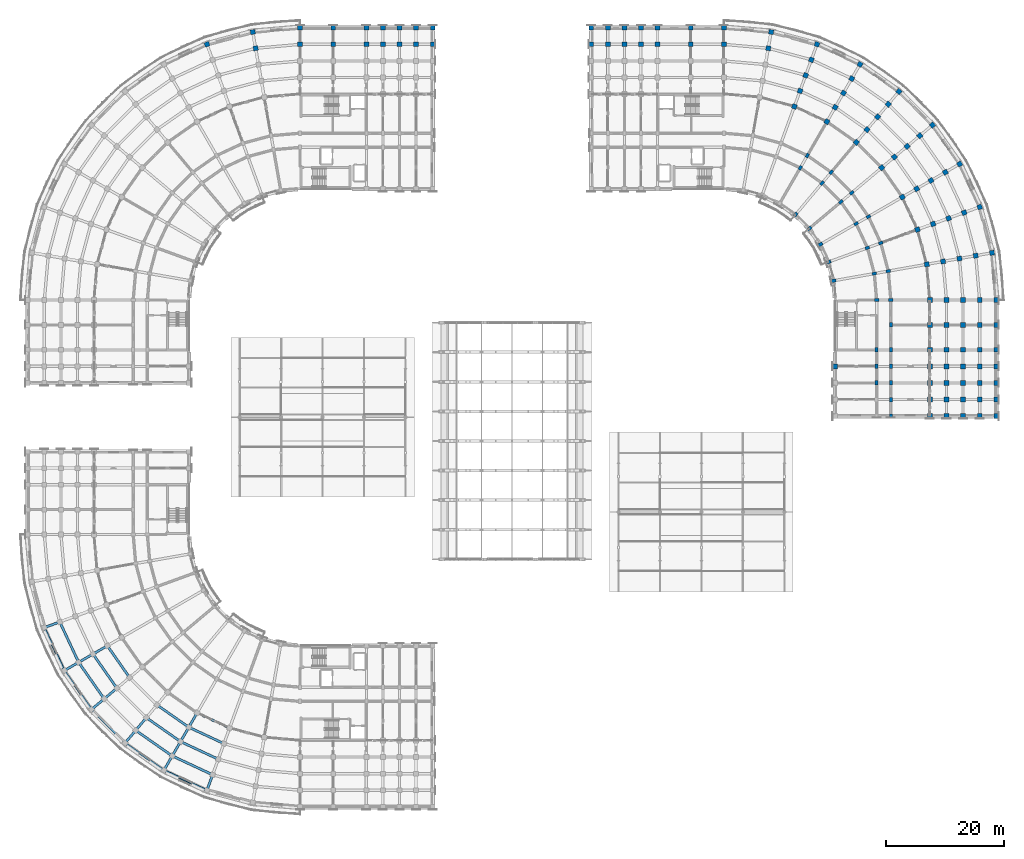
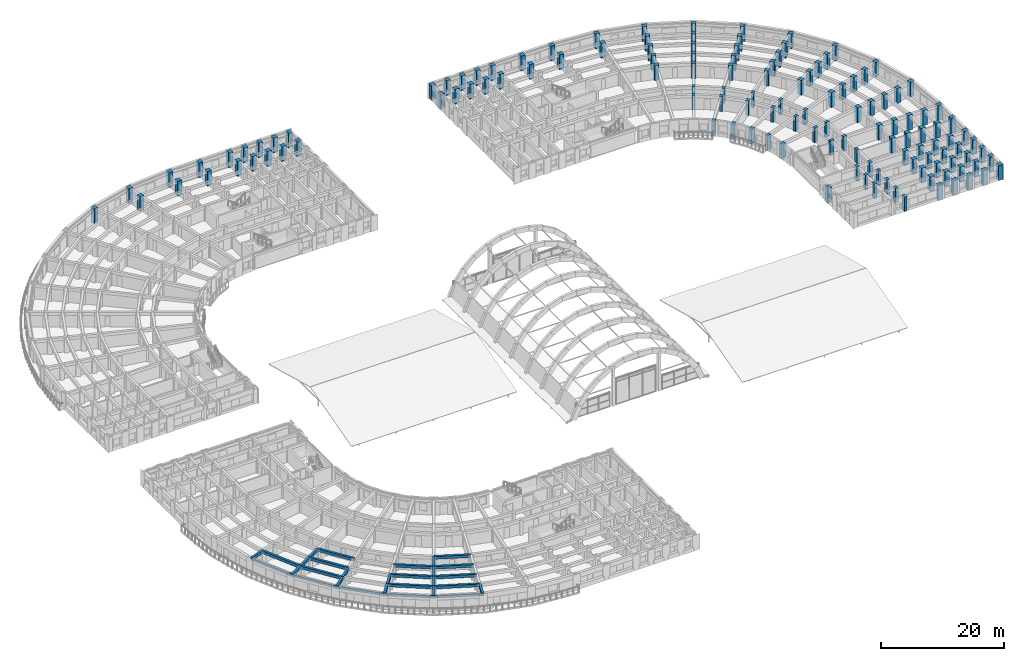
# One storey, part 9 of 76: 132 columns, 29 beams.
"""IFC4 building model written with IfcOpenShell, lengths in metres."""

from ifc_helpers import new_model, si_unit, direction, frame, origin, origin_2d, place, context, subcontext, project, spatial, rectangle, extrude, material, material_profile, profile_set, type_object, element, save


model = new_model("IFC4")

# Units and contexts
model_context = context("Model", 3, precision=1e-05, world=origin(), true_north=direction((0.0, 1.0)))
body_context = subcontext(model_context, "Body", "Model", "MODEL_VIEW")
ifc_project = project(units=[si_unit("LENGTHUNIT", "METRE"), si_unit("AREAUNIT", "SQUARE_METRE"), si_unit("VOLUMEUNIT", "CUBIC_METRE"), si_unit("PLANEANGLEUNIT", "RADIAN"), si_unit("MASSUNIT", "GRAM", prefix="KILO")], contexts=[model_context])

# Site, building, storey
site_placement = place(None, origin())
site = spatial("IfcSite", under=ifc_project, at=site_placement, CompositionType="ELEMENT")
building_placement = place(site_placement, origin())
building = spatial("IfcBuilding", under=site, at=building_placement, Name="Kiranvali Square Residences", CompositionType="ELEMENT")
storey_placement = place(building_placement, frame((0.0, 0.0, 8.699951171875)))
storey = spatial("IfcBuildingStorey", under=building, at=storey_placement, Name="L02", CompositionType="ELEMENT", Elevation=8.699951171875)

# Columns
ifc_material_1 = material(Name="Concrete M45 (45 MPa)", Category="concrete")
ifc_material_profile_1 = material_profile(ifc_material_1, rectangle(XDim=0.5, YDim=0.75, at=origin_2d()), Name="RC 750x500")
ifc_profile_set_1 = profile_set([ifc_material_profile_1], Name="Concrete M45 (45 MPa)")
column_type_1 = type_object("IfcColumnType", Name="COL-M45-750x500", PredefinedType="COLUMN", material=ifc_profile_set_1)
for number, where, z_axis, x_axis, name in (
    (1, (132.699951171875, 110.1435546875, 0.0), (0.0, 0.0, 1.0), (-0.866025403784, 0.5, 0.0), "Block B L02 radial column A03-R1"),
    (2, (133.89990234375, 112.221923828125, 0.0), (0.0, 0.0, 1.0), (-0.866025403784, 0.5, 0.0), "Block B L02 radial column A03-R2"),
    (3, (136.384033203125, 107.56396484375, 0.0), (0.0, 0.0, 1.0), (-0.766044443119, 0.642787609687, 0.0), "Block B L02 radial column A04-R1"),
    (4, (137.926513671875, 109.40234375, 0.0), (0.0, 0.0, 1.0), (-0.766044443119, 0.642787609687, 0.0), "Block B L02 radial column A04-R2"),
    (5, (139.56396484375, 104.384033203125, 0.0), (0.0, 0.0, 1.0), (-0.642787609687, 0.766044443119, 0.0), "Block B L02 radial column A05-R1"),
    (6, (141.40234375, 105.926513671875, 0.0), (0.0, 0.0, 1.0), (-0.642787609687, 0.766044443119, 0.0), "Block B L02 radial column A05-R2"),
    (7, (142.1435546875, 100.699951171875, 0.0), (0.0, 0.0, 1.0), (-0.5, 0.866025403784, 0.0), "Block B L02 radial column A06-R1"),
    (8, (144.221923828125, 101.89990234375, 0.0), (0.0, 0.0, 1.0), (-0.5, 0.866025403784, 0.0), "Block B L02 radial column A06-R2"),
    (9, (144.044189453125, 96.6240234375, 0.0), (0.0, 0.0, 1.0), (-0.342020143326, 0.939692620786, 0.0), "Block B L02 radial column A07-R1"),
    (10, (146.29931640625, 97.445068359375, 0.0), (0.0, 0.0, 1.0), (-0.342020143326, 0.939692620786, 0.0), "Block B L02 radial column A07-R2"),
    (11, (145.2080078125, 92.280029296875, 0.0), (0.0, 0.0, 1.0), (-0.173648177667, 0.984807753012, 0.0), "Block B L02 radial column A08-R1"),
    (12, (147.571533203125, 92.69677734375, 0.0), (0.0, 0.0, 1.0), (-0.173648177667, 0.984807753012, 0.0), "Block B L02 radial column A08-R2"),
    (13, (145.60009765625, 87.800048828125, 0.0), (0.0, 0.0, 1.0), (0.0, 1.0, 0.0), "Block B L02 radial column A09-R1"),
    (14, (148.0, 87.800048828125, 0.0), (0.0, 0.0, 1.0), (0.0, 1.0, 0.0), "Block B L02 radial column A09-R2"),
    (15, (148.0, 83.60009765625, 0.0), (0.0, 0.0, 1.0), (1.0, 0.0, 0.0), "Block B L02 Arm 2 mid-core column V0-R2"),
    (16, (145.60009765625, 79.39990234375, 0.0), (0.0, 0.0, 1.0), (1.0, 0.0, 0.0), "Block B L02 Arm 2 column V1-R1"),
    (17, (148.0, 79.39990234375, 0.0), (0.0, 0.0, 1.0), (1.0, 0.0, 0.0), "Block B L02 Arm 2 column V1-R2"),
    (18, (145.60009765625, 76.60009765625, 0.0), (0.0, 0.0, 1.0), (1.0, 0.0, 0.0), "Block B L02 Arm 2 column V2-R1"),
    (19, (148.0, 76.60009765625, 0.0), (0.0, 0.0, 1.0), (1.0, 0.0, 0.0), "Block B L02 Arm 2 column V2-R2"),
    (20, (145.60009765625, 73.800048828125, 0.0), (0.0, 0.0, 1.0), (1.0, 0.0, 0.0), "Block B L02 Arm 2 column V3-R1"),
    (21, (148.0, 73.800048828125, 0.0), (0.0, 0.0, 1.0), (1.0, 0.0, 0.0), "Block B L02 Arm 2 column V3-R2"),
    (22, (148.0, 71.0, 0.0), (0.0, 0.0, 1.0), (1.0, 0.0, 0.0), "Block B L02 Arm 2 column V4-R2"),
    (23, (148.0, 68.199951171875, 0.0), (0.0, 0.0, 1.0), (1.0, 0.0, 0.0), "Block B L02 Arm 2 column V5-R2"),
):
    element("IfcColumn", number, at=place(storey_placement, frame(where, z_axis=z_axis, x_axis=x_axis)), inside=storey, type_object=column_type_1, Name=name, PredefinedType="COLUMN", context=body_context, shape_type="SweptSolid", body=[
        extrude(rectangle(XDim=0.5, YDim=0.75, at=origin_2d()), origin(), (0.0, 0.0, 1.0), 2.929931640625),
    ])
ifc_material_2 = material(Name="Concrete M50 (50 MPa)", Category="concrete")
ifc_material_profile_2 = material_profile(ifc_material_2, rectangle(XDim=0.800048828125, YDim=0.800048828125, at=origin_2d()), Name="RC 800x800")
ifc_profile_set_2 = profile_set([ifc_material_profile_2], Name="Concrete M50 (50 MPa)")
column_type_2 = type_object("IfcColumnType", Name="COL-M50-800", PredefinedType="COLUMN", material=ifc_profile_set_2)
for number, where, z_axis, x_axis, name in (
    (24, (48.199951171875, 131.0, 0.0), (0.0, 0.0, 1.0), (1.0, 0.0, 0.0), "Block A L02 radial column A00-R6"),
    (25, (48.199951171875, 133.800048828125, 0.0), (0.0, 0.0, 1.0), (1.0, 0.0, 0.0), "Block A L02 radial column A00-R7"),
    (26, (40.698486328125, 130.34375, 0.0), (0.0, 0.0, 1.0), (0.984807753012, 0.173648177667, 0.0), "Block A L02 radial column A01-R6"),
    (27, (40.212158203125, 133.10107421875, 0.0), (0.0, 0.0, 1.0), (0.984807753012, 0.173648177667, 0.0), "Block A L02 radial column A01-R7"),
    (28, (32.467041015625, 131.02587890625, 0.0), (0.0, 0.0, 1.0), (0.939692620786, 0.342020143326, 0.0), "Block A L02 radial column A02-R7"),
    (29, (53.800048828125, 131.0, 0.0), (0.0, 0.0, 1.0), (1.0, 0.0, 0.0), "Block A L02 core-front column U0-R6"),
    (30, (53.800048828125, 133.800048828125, 0.0), (0.0, 0.0, 1.0), (1.0, 0.0, 0.0), "Block A L02 core-front column U0-R7"),
    (31, (59.39990234375, 131.0, 0.0), (0.0, 0.0, 1.0), (1.0, 0.0, 0.0), "Block A L02 Arm 1 column U1-R6"),
    (32, (59.39990234375, 133.800048828125, 0.0), (0.0, 0.0, 1.0), (1.0, 0.0, 0.0), "Block A L02 Arm 1 column U1-R7"),
    (33, (62.199951171875, 131.0, 0.0), (0.0, 0.0, 1.0), (1.0, 0.0, 0.0), "Block A L02 Arm 1 column U2-R6"),
    (34, (62.199951171875, 133.800048828125, 0.0), (0.0, 0.0, 1.0), (1.0, 0.0, 0.0), "Block A L02 Arm 1 column U2-R7"),
    (35, (65.0, 131.0, 0.0), (0.0, 0.0, 1.0), (1.0, 0.0, 0.0), "Block A L02 Arm 1 column U3-R6"),
    (36, (65.0, 133.800048828125, 0.0), (0.0, 0.0, 1.0), (1.0, 0.0, 0.0), "Block A L02 Arm 1 column U3-R7"),
    (37, (67.800048828125, 131.0, 0.0), (0.0, 0.0, 1.0), (1.0, 0.0, 0.0), "Block A L02 Arm 1 column U4-R6"),
    (38, (67.800048828125, 133.800048828125, 0.0), (0.0, 0.0, 1.0), (1.0, 0.0, 0.0), "Block A L02 Arm 1 column U4-R7"),
    (39, (70.60009765625, 131.0, 0.0), (0.0, 0.0, 1.0), (1.0, 0.0, 0.0), "Block A L02 Arm 1 column U5-R6"),
    (40, (70.60009765625, 133.800048828125, 0.0), (0.0, 0.0, 1.0), (1.0, 0.0, 0.0), "Block A L02 Arm 1 column U5-R7"),
    (41, (119.800048828125, 131.0, 0.0), (0.0, 0.0, 1.0), (1.0, 0.0, 0.0), "Block B L02 radial column A00-R6"),
    (42, (119.800048828125, 133.800048828125, 0.0), (0.0, 0.0, 1.0), (1.0, 0.0, 0.0), "Block B L02 radial column A00-R7"),
    (43, (127.301513671875, 130.34375, 0.0), (0.0, 0.0, 1.0), (-0.984807753012, 0.173648177667, 0.0), "Block B L02 radial column A01-R6"),
    (44, (127.787841796875, 133.10107421875, 0.0), (0.0, 0.0, 1.0), (-0.984807753012, 0.173648177667, 0.0), "Block B L02 radial column A01-R7"),
    (45, (131.702392578125, 120.501220703125, 0.0), (0.0, 0.0, 1.0), (-0.939692620786, 0.342020143326, 0.0), "Block B L02 radial column A02-R3"),
    (46, (132.659912109375, 123.13232421875, 0.0), (0.0, 0.0, 1.0), (-0.939692620786, 0.342020143326, 0.0), "Block B L02 radial column A02-R4"),
    (47, (133.61767578125, 125.763671875, 0.0), (0.0, 0.0, 1.0), (-0.939692620786, 0.342020143326, 0.0), "Block B L02 radial column A02-R5"),
    (48, (134.5751953125, 128.394775390625, 0.0), (0.0, 0.0, 1.0), (-0.939692620786, 0.342020143326, 0.0), "Block B L02 radial column A02-R6"),
    (49, (135.532958984375, 131.02587890625, 0.0), (0.0, 0.0, 1.0), (-0.939692620786, 0.342020143326, 0.0), "Block B L02 radial column A02-R7"),
    (50, (137.199951171875, 117.937744140625, 0.0), (0.0, 0.0, 1.0), (-0.866025403784, 0.5, 0.0), "Block B L02 radial column A03-R3"),
    (51, (138.60009765625, 120.362548828125, 0.0), (0.0, 0.0, 1.0), (-0.866025403784, 0.5, 0.0), "Block B L02 radial column A03-R4"),
    (52, (140.0, 122.787353515625, 0.0), (0.0, 0.0, 1.0), (-0.866025403784, 0.5, 0.0), "Block B L02 radial column A03-R5"),
    (53, (141.39990234375, 125.21240234375, 0.0), (0.0, 0.0, 1.0), (-0.866025403784, 0.5, 0.0), "Block B L02 radial column A03-R6"),
    (54, (142.800048828125, 127.63720703125, 0.0), (0.0, 0.0, 1.0), (-0.866025403784, 0.5, 0.0), "Block B L02 radial column A03-R7"),
    (55, (142.1689453125, 114.458251953125, 0.0), (0.0, 0.0, 1.0), (-0.766044443119, 0.642787609687, 0.0), "Block B L02 radial column A04-R3"),
    (56, (143.96875, 116.603271484375, 0.0), (0.0, 0.0, 1.0), (-0.766044443119, 0.642787609687, 0.0), "Block B L02 radial column A04-R4"),
    (57, (145.7685546875, 118.748291015625, 0.0), (0.0, 0.0, 1.0), (-0.766044443119, 0.642787609687, 0.0), "Block B L02 radial column A04-R5"),
    (58, (147.568359375, 120.89306640625, 0.0), (0.0, 0.0, 1.0), (-0.766044443119, 0.642787609687, 0.0), "Block B L02 radial column A04-R6"),
    (59, (149.3681640625, 123.0380859375, 0.0), (0.0, 0.0, 1.0), (-0.766044443119, 0.642787609687, 0.0), "Block B L02 radial column A04-R7"),
    (60, (146.458251953125, 110.1689453125, 0.0), (0.0, 0.0, 1.0), (-0.642787609687, 0.766044443119, 0.0), "Block B L02 radial column A05-R3"),
    (61, (148.603271484375, 111.96875, 0.0), (0.0, 0.0, 1.0), (-0.642787609687, 0.766044443119, 0.0), "Block B L02 radial column A05-R4"),
    (62, (150.748291015625, 113.7685546875, 0.0), (0.0, 0.0, 1.0), (-0.642787609687, 0.766044443119, 0.0), "Block B L02 radial column A05-R5"),
    (63, (152.89306640625, 115.568359375, 0.0), (0.0, 0.0, 1.0), (-0.642787609687, 0.766044443119, 0.0), "Block B L02 radial column A05-R6"),
    (64, (155.0380859375, 117.3681640625, 0.0), (0.0, 0.0, 1.0), (-0.642787609687, 0.766044443119, 0.0), "Block B L02 radial column A05-R7"),
    (65, (149.937744140625, 105.199951171875, 0.0), (0.0, 0.0, 1.0), (-0.5, 0.866025403784, 0.0), "Block B L02 radial column A06-R3"),
    (66, (152.362548828125, 106.60009765625, 0.0), (0.0, 0.0, 1.0), (-0.5, 0.866025403784, 0.0), "Block B L02 radial column A06-R4"),
    (67, (154.787353515625, 108.0, 0.0), (0.0, 0.0, 1.0), (-0.5, 0.866025403784, 0.0), "Block B L02 radial column A06-R5"),
    (68, (157.21240234375, 109.39990234375, 0.0), (0.0, 0.0, 1.0), (-0.5, 0.866025403784, 0.0), "Block B L02 radial column A06-R6"),
    (69, (159.63720703125, 110.800048828125, 0.0), (0.0, 0.0, 1.0), (-0.5, 0.866025403784, 0.0), "Block B L02 radial column A06-R7"),
    (70, (152.501220703125, 99.702392578125, 0.0), (0.0, 0.0, 1.0), (-0.342020143326, 0.939692620786, 0.0), "Block B L02 radial column A07-R3"),
    (71, (155.13232421875, 100.659912109375, 0.0), (0.0, 0.0, 1.0), (-0.342020143326, 0.939692620786, 0.0), "Block B L02 radial column A07-R4"),
    (72, (157.763671875, 101.61767578125, 0.0), (0.0, 0.0, 1.0), (-0.342020143326, 0.939692620786, 0.0), "Block B L02 radial column A07-R5"),
    (73, (160.394775390625, 102.5751953125, 0.0), (0.0, 0.0, 1.0), (-0.342020143326, 0.939692620786, 0.0), "Block B L02 radial column A07-R6"),
    (74, (163.02587890625, 103.532958984375, 0.0), (0.0, 0.0, 1.0), (-0.342020143326, 0.939692620786, 0.0), "Block B L02 radial column A07-R7"),
    (75, (154.0712890625, 93.843017578125, 0.0), (0.0, 0.0, 1.0), (-0.173648177667, 0.984807753012, 0.0), "Block B L02 radial column A08-R3"),
    (76, (156.828857421875, 94.3291015625, 0.0), (0.0, 0.0, 1.0), (-0.173648177667, 0.984807753012, 0.0), "Block B L02 radial column A08-R4"),
    (77, (159.586181640625, 94.8154296875, 0.0), (0.0, 0.0, 1.0), (-0.173648177667, 0.984807753012, 0.0), "Block B L02 radial column A08-R5"),
    (78, (162.34375, 95.301513671875, 0.0), (0.0, 0.0, 1.0), (-0.173648177667, 0.984807753012, 0.0), "Block B L02 radial column A08-R6"),
    (79, (165.10107421875, 95.787841796875, 0.0), (0.0, 0.0, 1.0), (-0.173648177667, 0.984807753012, 0.0), "Block B L02 radial column A08-R7"),
    (80, (154.60009765625, 87.800048828125, 0.0), (0.0, 0.0, 1.0), (0.0, 1.0, 0.0), "Block B L02 radial column A09-R3"),
    (81, (157.39990234375, 87.800048828125, 0.0), (0.0, 0.0, 1.0), (0.0, 1.0, 0.0), "Block B L02 radial column A09-R4"),
    (82, (160.199951171875, 87.800048828125, 0.0), (0.0, 0.0, 1.0), (0.0, 1.0, 0.0), "Block B L02 radial column A09-R5"),
    (83, (163.0, 87.800048828125, 0.0), (0.0, 0.0, 1.0), (0.0, 1.0, 0.0), "Block B L02 radial column A09-R6"),
    (84, (165.800048828125, 87.800048828125, 0.0), (0.0, 0.0, 1.0), (0.0, 1.0, 0.0), "Block B L02 radial column A09-R7"),
    (85, (114.199951171875, 131.0, 0.0), (0.0, 0.0, 1.0), (1.0, 0.0, 0.0), "Block B L02 core-front column U0-R6"),
    (86, (114.199951171875, 133.800048828125, 0.0), (0.0, 0.0, 1.0), (1.0, 0.0, 0.0), "Block B L02 core-front column U0-R7"),
    (87, (108.60009765625, 131.0, 0.0), (0.0, 0.0, 1.0), (1.0, 0.0, 0.0), "Block B L02 Arm 1 column U1-R6"),
    (88, (108.60009765625, 133.800048828125, 0.0), (0.0, 0.0, 1.0), (1.0, 0.0, 0.0), "Block B L02 Arm 1 column U1-R7"),
    (89, (105.800048828125, 131.0, 0.0), (0.0, 0.0, 1.0), (1.0, 0.0, 0.0), "Block B L02 Arm 1 column U2-R6"),
    (90, (105.800048828125, 133.800048828125, 0.0), (0.0, 0.0, 1.0), (1.0, 0.0, 0.0), "Block B L02 Arm 1 column U2-R7"),
    (91, (103.0, 131.0, 0.0), (0.0, 0.0, 1.0), (1.0, 0.0, 0.0), "Block B L02 Arm 1 column U3-R6"),
    (92, (103.0, 133.800048828125, 0.0), (0.0, 0.0, 1.0), (1.0, 0.0, 0.0), "Block B L02 Arm 1 column U3-R7"),
    (93, (100.199951171875, 131.0, 0.0), (0.0, 0.0, 1.0), (1.0, 0.0, 0.0), "Block B L02 Arm 1 column U4-R6"),
    (94, (100.199951171875, 133.800048828125, 0.0), (0.0, 0.0, 1.0), (1.0, 0.0, 0.0), "Block B L02 Arm 1 column U4-R7"),
    (95, (97.39990234375, 131.0, 0.0), (0.0, 0.0, 1.0), (1.0, 0.0, 0.0), "Block B L02 Arm 1 column U5-R6"),
    (96, (97.39990234375, 133.800048828125, 0.0), (0.0, 0.0, 1.0), (1.0, 0.0, 0.0), "Block B L02 Arm 1 column U5-R7"),
    (97, (154.60009765625, 83.60009765625, 0.0), (0.0, 0.0, 1.0), (1.0, 0.0, 0.0), "Block B L02 Arm 2 mid-core column V0-R3"),
    (98, (157.39990234375, 83.60009765625, 0.0), (0.0, 0.0, 1.0), (1.0, 0.0, 0.0), "Block B L02 Arm 2 mid-core column V0-R4"),
    (99, (160.199951171875, 83.60009765625, 0.0), (0.0, 0.0, 1.0), (1.0, 0.0, 0.0), "Block B L02 Arm 2 mid-core column V0-R5"),
    (100, (163.0, 83.60009765625, 0.0), (0.0, 0.0, 1.0), (1.0, 0.0, 0.0), "Block B L02 Arm 2 mid-core column V0-R6"),
    (101, (165.800048828125, 83.60009765625, 0.0), (0.0, 0.0, 1.0), (1.0, 0.0, 0.0), "Block B L02 Arm 2 mid-core column V0-R7"),
    (102, (154.60009765625, 79.39990234375, 0.0), (0.0, 0.0, 1.0), (1.0, 0.0, 0.0), "Block B L02 Arm 2 column V1-R3"),
    (103, (157.39990234375, 79.39990234375, 0.0), (0.0, 0.0, 1.0), (1.0, 0.0, 0.0), "Block B L02 Arm 2 column V1-R4"),
    (104, (160.199951171875, 79.39990234375, 0.0), (0.0, 0.0, 1.0), (1.0, 0.0, 0.0), "Block B L02 Arm 2 column V1-R5"),
    (105, (163.0, 79.39990234375, 0.0), (0.0, 0.0, 1.0), (1.0, 0.0, 0.0), "Block B L02 Arm 2 column V1-R6"),
    (106, (165.800048828125, 79.39990234375, 0.0), (0.0, 0.0, 1.0), (1.0, 0.0, 0.0), "Block B L02 Arm 2 column V1-R7"),
    (107, (138.60009765625, 76.60009765625, 0.0), (0.0, 0.0, 1.0), (1.0, 0.0, 0.0), "Block B L02 Arm 2 column V2-R0"),
    (108, (154.60009765625, 76.60009765625, 0.0), (0.0, 0.0, 1.0), (1.0, 0.0, 0.0), "Block B L02 Arm 2 column V2-R3"),
    (109, (157.39990234375, 76.60009765625, 0.0), (0.0, 0.0, 1.0), (1.0, 0.0, 0.0), "Block B L02 Arm 2 column V2-R4"),
    (110, (160.199951171875, 76.60009765625, 0.0), (0.0, 0.0, 1.0), (1.0, 0.0, 0.0), "Block B L02 Arm 2 column V2-R5"),
    (111, (163.0, 76.60009765625, 0.0), (0.0, 0.0, 1.0), (1.0, 0.0, 0.0), "Block B L02 Arm 2 column V2-R6"),
    (112, (165.800048828125, 76.60009765625, 0.0), (0.0, 0.0, 1.0), (1.0, 0.0, 0.0), "Block B L02 Arm 2 column V2-R7"),
    (113, (154.60009765625, 73.800048828125, 0.0), (0.0, 0.0, 1.0), (1.0, 0.0, 0.0), "Block B L02 Arm 2 column V3-R3"),
    (114, (157.39990234375, 73.800048828125, 0.0), (0.0, 0.0, 1.0), (1.0, 0.0, 0.0), "Block B L02 Arm 2 column V3-R4"),
    (115, (160.199951171875, 73.800048828125, 0.0), (0.0, 0.0, 1.0), (1.0, 0.0, 0.0), "Block B L02 Arm 2 column V3-R5"),
    (116, (163.0, 73.800048828125, 0.0), (0.0, 0.0, 1.0), (1.0, 0.0, 0.0), "Block B L02 Arm 2 column V3-R6"),
    (117, (165.800048828125, 73.800048828125, 0.0), (0.0, 0.0, 1.0), (1.0, 0.0, 0.0), "Block B L02 Arm 2 column V3-R7"),
    (118, (154.60009765625, 71.0, 0.0), (0.0, 0.0, 1.0), (1.0, 0.0, 0.0), "Block B L02 Arm 2 column V4-R3"),
    (119, (157.39990234375, 71.0, 0.0), (0.0, 0.0, 1.0), (1.0, 0.0, 0.0), "Block B L02 Arm 2 column V4-R4"),
    (120, (160.199951171875, 71.0, 0.0), (0.0, 0.0, 1.0), (1.0, 0.0, 0.0), "Block B L02 Arm 2 column V4-R5"),
    (121, (163.0, 71.0, 0.0), (0.0, 0.0, 1.0), (1.0, 0.0, 0.0), "Block B L02 Arm 2 column V4-R6"),
    (122, (165.800048828125, 71.0, 0.0), (0.0, 0.0, 1.0), (1.0, 0.0, 0.0), "Block B L02 Arm 2 column V4-R7"),
    (123, (154.60009765625, 68.199951171875, 0.0), (0.0, 0.0, 1.0), (1.0, 0.0, 0.0), "Block B L02 Arm 2 column V5-R3"),
    (124, (157.39990234375, 68.199951171875, 0.0), (0.0, 0.0, 1.0), (1.0, 0.0, 0.0), "Block B L02 Arm 2 column V5-R4"),
    (125, (160.199951171875, 68.199951171875, 0.0), (0.0, 0.0, 1.0), (1.0, 0.0, 0.0), "Block B L02 Arm 2 column V5-R5"),
    (126, (163.0, 68.199951171875, 0.0), (0.0, 0.0, 1.0), (1.0, 0.0, 0.0), "Block B L02 Arm 2 column V5-R6"),
    (127, (165.800048828125, 68.199951171875, 0.0), (0.0, 0.0, 1.0), (1.0, 0.0, 0.0), "Block B L02 Arm 2 column V5-R7"),
):
    element("IfcColumn", number, at=place(storey_placement, frame(where, z_axis=z_axis, x_axis=x_axis)), inside=storey, type_object=column_type_2, Name=name, PredefinedType="COLUMN", context=body_context, shape_type="SweptSolid", body=[
        extrude(rectangle(XDim=0.800048828125, YDim=0.800048828125, at=origin_2d()), origin(), (0.0, 0.0, 1.0), 2.929931640625),
    ])
ifc_material_profile_3 = material_profile(ifc_material_2, rectangle(XDim=0.550048828125, YDim=0.85009765625, at=origin_2d()), Name="RC 850x550")
ifc_profile_set_3 = profile_set([ifc_material_profile_3], Name="Concrete M50 (50 MPa)")
column_type_3 = type_object("IfcColumnType", Name="COL-M50-850x550", PredefinedType="COLUMN", material=ifc_profile_set_3)
for number, where, z_axis, x_axis, name in (
    (128, (131.884521484375, 102.20166015625, 0.0), (0.0, 0.0, 1.0), (-0.766044443119, 0.642787609687, 0.0), "Block B L02 radial column A04-R0"),
    (129, (134.20166015625, 99.884521484375, 0.0), (0.0, 0.0, 1.0), (-0.642787609687, 0.766044443119, 0.0), "Block B L02 radial column A05-R0"),
    (130, (136.081298828125, 97.199951171875, 0.0), (0.0, 0.0, 1.0), (-0.5, 0.866025403784, 0.0), "Block B L02 radial column A06-R0"),
    (131, (137.46630859375, 94.22998046875, 0.0), (0.0, 0.0, 1.0), (-0.342020143326, 0.939692620786, 0.0), "Block B L02 radial column A07-R0"),
    (132, (138.314453125, 91.064697265625, 0.0), (0.0, 0.0, 1.0), (-0.173648177667, 0.984807753012, 0.0), "Block B L02 radial column A08-R0"),
):
    element("IfcColumn", number, at=place(storey_placement, frame(where, z_axis=z_axis, x_axis=x_axis)), inside=storey, type_object=column_type_3, Name=name, PredefinedType="COLUMN", context=body_context, shape_type="SweptSolid", body=[
        extrude(rectangle(XDim=0.550048828125, YDim=0.85009765625, at=origin_2d()), origin(), (0.0, 0.0, 1.0), 2.929931640625),
    ])

# Beams
ifc_material_profile_4 = material_profile(ifc_material_1, rectangle(XDim=0.39990234375, YDim=0.550048828125, at=origin_2d()), Name="RC 400x550")
ifc_profile_set_4 = profile_set([ifc_material_profile_4], Name="Concrete M45 (45 MPa)")
beam_type_1 = type_object("IfcBeamType", Name="BM-M45-400x550", PredefinedType="BEAM", material=ifc_profile_set_4)
beam_1_placement = place(storey_placement, frame((36.297607421875, 15.498779296875, 2.655029296875), z_axis=(-0.906312656069, 0.42260781991, 0.0), x_axis=(-0.42260781991, -0.906312656069, 0.0)))
element("IfcBeam", 133, at=beam_1_placement, inside=storey, type_object=beam_type_1, Name="L02 beam BM-C-L02-C02-R3", PredefinedType="BEAM", context=body_context, shape_type="SweptSolid", body=[
    extrude(rectangle(XDim=0.39990234375, YDim=0.550048828125, at=origin_2d()), origin(), (0.0, 0.0, 1.0), 6.06591796875),
])
beam_2_placement = place(storey_placement, frame((35.340087890625, 12.86767578125, 2.655029296875), z_axis=(-0.906318225223, 0.422595876255, 0.0), x_axis=(-0.422595876255, -0.906318225223, 0.0)))
element("IfcBeam", 134, at=beam_2_placement, inside=storey, type_object=beam_type_1, Name="L02 beam BM-C-L02-C02-R4", PredefinedType="BEAM", context=body_context, shape_type="SweptSolid", body=[
    extrude(rectangle(XDim=0.39990234375, YDim=0.550048828125, at=origin_2d()), origin(), (0.0, 0.0, 1.0), 6.55419921875),
])
beam_3_placement = place(storey_placement, frame((34.38232421875, 10.236328125, 2.655029296875), z_axis=(-0.906297360311, 0.422640621205, 0.0), x_axis=(-0.422640621205, -0.906297360311, 0.0)))
element("IfcBeam", 135, at=beam_3_placement, inside=storey, type_object=beam_type_1, Name="L02 beam BM-C-L02-C02-R5", PredefinedType="BEAM", context=body_context, shape_type="SweptSolid", body=[
    extrude(rectangle(XDim=0.39990234375, YDim=0.550048828125, at=origin_2d()), origin(), (0.0, 0.0, 1.0), 7.042236328125),
])
beam_4_placement = place(storey_placement, frame((33.4248046875, 7.605224609375, 2.655029296875), z_axis=(-0.90630982703, 0.422613886933, 0.0), x_axis=(-0.422613886933, -0.90630982703, 0.0)))
element("IfcBeam", 136, at=beam_4_placement, inside=storey, type_object=beam_type_1, Name="L02 beam BM-C-L02-C02-R6", PredefinedType="BEAM", context=body_context, shape_type="SweptSolid", body=[
    extrude(rectangle(XDim=0.39990234375, YDim=0.550048828125, at=origin_2d()), origin(), (0.0, 0.0, 1.0), 7.5302734375),
])
beam_5_placement = place(storey_placement, frame((29.39990234375, 15.637451171875, 2.655029296875), z_axis=(-0.819144409176, 0.573587340268, 0.0), x_axis=(-0.573587340268, -0.819144409176, 0.0)))
element("IfcBeam", 137, at=beam_5_placement, inside=storey, type_object=beam_type_1, Name="L02 beam BM-C-L02-C03-R4", PredefinedType="BEAM", context=body_context, shape_type="SweptSolid", body=[
    extrude(rectangle(XDim=0.39990234375, YDim=0.550048828125, at=origin_2d()), origin(), (0.0, 0.0, 1.0), 6.553955078125),
])
beam_6_placement = place(storey_placement, frame((28.0, 13.212646484375, 2.655029296875), z_axis=(-0.819160249246, 0.57356471828, 0.0), x_axis=(-0.57356471828, -0.819160249246, 0.0)))
element("IfcBeam", 138, at=beam_6_placement, inside=storey, type_object=beam_type_1, Name="L02 beam BM-C-L02-C03-R5", PredefinedType="BEAM", context=body_context, shape_type="SweptSolid", body=[
    extrude(rectangle(XDim=0.39990234375, YDim=0.550048828125, at=origin_2d()), origin(), (0.0, 0.0, 1.0), 7.0419921875),
])
beam_7_placement = place(storey_placement, frame((26.60009765625, 10.78759765625, 2.655029296875), z_axis=(-0.819143569597, 0.573588539275, 0.0), x_axis=(-0.573588539275, -0.819143569597, 0.0)))
element("IfcBeam", 139, at=beam_7_placement, inside=storey, type_object=beam_type_1, Name="L02 beam BM-C-L02-C03-R6", PredefinedType="BEAM", context=body_context, shape_type="SweptSolid", body=[
    extrude(rectangle(XDim=0.39990234375, YDim=0.550048828125, at=origin_2d()), origin(), (0.0, 0.0, 1.0), 7.5302734375),
])
beam_8_placement = place(storey_placement, frame((19.396728515625, 24.03125, 2.655029296875), z_axis=(-0.573587340268, 0.819144409176, 0.0), x_axis=(-0.819144409176, -0.573587340268, 0.0)))
element("IfcBeam", 140, at=beam_8_placement, inside=storey, type_object=beam_type_1, Name="L02 beam BM-C-L02-C05-R4", PredefinedType="BEAM", context=body_context, shape_type="SweptSolid", body=[
    extrude(rectangle(XDim=0.39990234375, YDim=0.550048828125, at=origin_2d()), origin(), (0.0, 0.0, 1.0), 6.553955078125),
])
beam_9_placement = place(storey_placement, frame((17.251708984375, 22.2314453125, 2.655029296875), z_axis=(-0.57356471828, 0.819160249246, 0.0), x_axis=(-0.819160249246, -0.57356471828, 0.0)))
element("IfcBeam", 141, at=beam_9_placement, inside=storey, type_object=beam_type_1, Name="L02 beam BM-C-L02-C05-R5", PredefinedType="BEAM", context=body_context, shape_type="SweptSolid", body=[
    extrude(rectangle(XDim=0.39990234375, YDim=0.550048828125, at=origin_2d()), origin(), (0.0, 0.0, 1.0), 7.0419921875),
])
for number, where, z_axis, x_axis, name in (
    (142, (15.10693359375, 20.431640625, 2.655029296875), (-0.573588539275, 0.819143569597, 0.0), (-0.819143569597, -0.573588539275, 0.0), "L02 beam BM-C-L02-C05-R6"),
    (143, (10.78759765625, 26.60009765625, 2.655029296875), (-0.422613886933, 0.90630982703, 0.0), (-0.90630982703, -0.422613886933, 0.0), "L02 beam BM-C-L02-C06-R6"),
):
    element("IfcBeam", number, at=place(storey_placement, frame(where, z_axis=z_axis, x_axis=x_axis)), inside=storey, type_object=beam_type_1, Name=name, PredefinedType="BEAM", context=body_context, shape_type="SweptSolid", body=[
        extrude(rectangle(XDim=0.39990234375, YDim=0.550048828125, at=origin_2d()), origin(), (0.0, 0.0, 1.0), 7.5302734375),
    ])
for number, where, z_axis, x_axis, name in (
    (144, (33.4248046875, 7.605224609375, 2.655029296875), (-0.342058084236, -0.939678810556, 0.0), (0.939678810556, -0.342058084236, 0.0), "L02 beam BM-C-L02-RAD02-67"),
    (145, (30.800048828125, 18.062255859375, 2.655029296875), (-0.500049511043, -0.865996816683, 0.0), (0.865996816683, -0.500049511043, 0.0), "L02 beam BM-C-L02-RAD03-34"),
):
    element("IfcBeam", number, at=place(storey_placement, frame(where, z_axis=z_axis, x_axis=x_axis)), inside=storey, type_object=beam_type_1, Name=name, PredefinedType="BEAM", context=body_context, shape_type="SweptSolid", body=[
        extrude(rectangle(XDim=0.39990234375, YDim=0.550048828125, at=origin_2d()), origin(), (0.0, 0.0, 1.0), 2.800048828125),
    ])
beam_10_placement = place(storey_placement, frame((29.39990234375, 15.637451171875, 2.655029296875), z_axis=(-0.49998411664, -0.866034573852, 0.0), x_axis=(0.866034573852, -0.49998411664, 0.0)))
element("IfcBeam", 146, at=beam_10_placement, inside=storey, type_object=beam_type_1, Name="L02 beam BM-C-L02-RAD03-45", PredefinedType="BEAM", context=body_context, shape_type="SweptSolid", body=[
    extrude(rectangle(XDim=0.39990234375, YDim=0.550048828125, at=origin_2d()), origin(), (0.0, 0.0, 1.0), 2.7998046875),
])
for number, where, z_axis, x_axis, name in (
    (147, (28.0, 13.212646484375, 2.655029296875), (-0.49994636267, -0.866056369097, 0.0), (0.866056369097, -0.49994636267, 0.0), "L02 beam BM-C-L02-RAD03-56"),
    (148, (26.60009765625, 10.78759765625, 2.655029296875), (-0.500049511043, -0.865996816683, 0.0), (0.865996816683, -0.500049511043, 0.0), "L02 beam BM-C-L02-RAD03-67"),
):
    element("IfcBeam", number, at=place(storey_placement, frame(where, z_axis=z_axis, x_axis=x_axis)), inside=storey, type_object=beam_type_1, Name=name, PredefinedType="BEAM", context=body_context, shape_type="SweptSolid", body=[
        extrude(rectangle(XDim=0.39990234375, YDim=0.550048828125, at=origin_2d()), origin(), (0.0, 0.0, 1.0), 2.800048828125),
    ])
beam_11_placement = place(storey_placement, frame((22.2314453125, 17.251708984375, 2.655029296875), z_axis=(-0.642813692253, -0.76602255649, 0.0), x_axis=(0.76602255649, -0.642813692253, 0.0)))
element("IfcBeam", 149, at=beam_11_placement, inside=storey, type_object=beam_type_1, Name="L02 beam BM-C-L02-RAD04-56", PredefinedType="BEAM", context=body_context, shape_type="SweptSolid", body=[
    extrude(rectangle(XDim=0.39990234375, YDim=0.550048828125, at=origin_2d()), origin(), (0.0, 0.0, 1.0), 2.7998046875),
])
beam_12_placement = place(storey_placement, frame((20.431640625, 15.10693359375, 2.655029296875), z_axis=(-0.642770757628, -0.766058583359, 0.0), x_axis=(0.766058583359, -0.642770757628, 0.0)))
element("IfcBeam", 150, at=beam_12_placement, inside=storey, type_object=beam_type_1, Name="L02 beam BM-C-L02-RAD04-67", PredefinedType="BEAM", context=body_context, shape_type="SweptSolid", body=[
    extrude(rectangle(XDim=0.39990234375, YDim=0.550048828125, at=origin_2d()), origin(), (0.0, 0.0, 1.0), 2.800048828125),
])
beam_13_placement = place(storey_placement, frame((17.251708984375, 22.2314453125, 2.655029296875), z_axis=(-0.76602255649, -0.642813692253, 0.0), x_axis=(0.642813692253, -0.76602255649, 0.0)))
element("IfcBeam", 151, at=beam_13_placement, inside=storey, type_object=beam_type_1, Name="L02 beam BM-C-L02-RAD05-56", PredefinedType="BEAM", context=body_context, shape_type="SweptSolid", body=[
    extrude(rectangle(XDim=0.39990234375, YDim=0.550048828125, at=origin_2d()), origin(), (0.0, 0.0, 1.0), 2.7998046875),
])
beam_14_placement = place(storey_placement, frame((15.10693359375, 20.431640625, 2.655029296875), z_axis=(-0.766058583359, -0.642770757628, 0.0), x_axis=(0.642770757628, -0.766058583359, 0.0)))
element("IfcBeam", 152, at=beam_14_placement, inside=storey, type_object=beam_type_1, Name="L02 beam BM-C-L02-RAD05-67", PredefinedType="BEAM", context=body_context, shape_type="SweptSolid", body=[
    extrude(rectangle(XDim=0.39990234375, YDim=0.550048828125, at=origin_2d()), origin(), (0.0, 0.0, 1.0), 2.800048828125),
])
beam_15_placement = place(storey_placement, frame((15.637451171875, 29.39990234375, 2.655029296875), z_axis=(-0.866034573852, -0.49998411664, 0.0), x_axis=(0.49998411664, -0.866034573852, 0.0)))
element("IfcBeam", 153, at=beam_15_placement, inside=storey, type_object=beam_type_1, Name="L02 beam BM-C-L02-RAD06-45", PredefinedType="BEAM", context=body_context, shape_type="SweptSolid", body=[
    extrude(rectangle(XDim=0.39990234375, YDim=0.550048828125, at=origin_2d()), origin(), (0.0, 0.0, 1.0), 2.7998046875),
])
for number, where, z_axis, x_axis, name in (
    (154, (13.212646484375, 28.0, 2.655029296875), (-0.866056369097, -0.49994636267, 0.0), (0.49994636267, -0.866056369097, 0.0), "L02 beam BM-C-L02-RAD06-56"),
    (155, (10.78759765625, 26.60009765625, 2.655029296875), (-0.865996816683, -0.500049511043, 0.0), (0.500049511043, -0.865996816683, 0.0), "L02 beam BM-C-L02-RAD06-67"),
    (156, (7.605224609375, 33.4248046875, 2.655029296875), (-0.939678810556, -0.342058084236, 0.0), (0.342058084236, -0.939678810556, 0.0), "L02 beam BM-C-L02-RAD07-67"),
):
    element("IfcBeam", number, at=place(storey_placement, frame(where, z_axis=z_axis, x_axis=x_axis)), inside=storey, type_object=beam_type_1, Name=name, PredefinedType="BEAM", context=body_context, shape_type="SweptSolid", body=[
        extrude(rectangle(XDim=0.39990234375, YDim=0.550048828125, at=origin_2d()), origin(), (0.0, 0.0, 1.0), 2.800048828125),
    ])
ifc_material_3 = material(Name="Concrete M40 (40 MPa)", Category="concrete")
ifc_material_profile_5 = material_profile(ifc_material_3, rectangle(XDim=0.300048828125, YDim=0.449951171875, at=origin_2d()), Name="RC 300x450")
ifc_profile_set_5 = profile_set([ifc_material_profile_5], Name="Concrete M40 (40 MPa)")
beam_type_2 = type_object("IfcBeamType", Name="SPN-M40-300x450", PredefinedType="SPANDREL", material=ifc_profile_set_5)
for number, where, z_axis, x_axis, name in (
    (157, (32.467041015625, 4.97412109375, 2.705078125), (-0.906309113636, 0.422615416827, 0.0), (-0.422615416827, -0.906309113636, 0.0), "L02 beam BM-C-L02-C02-R7"),
    (158, (25.199951171875, 8.36279296875, 2.705078125), (-0.819147515001, 0.573582904791, 0.0), (-0.573582904791, -0.819147515001, 0.0), "L02 beam BM-C-L02-C03-R7"),
):
    element("IfcBeam", number, at=place(storey_placement, frame(where, z_axis=z_axis, x_axis=x_axis)), inside=storey, type_object=beam_type_2, Name=name, PredefinedType="SPANDREL", context=body_context, shape_type="SweptSolid", body=[
        extrude(rectangle(XDim=0.300048828125, YDim=0.449951171875, at=origin_2d()), origin(), (0.0, 0.0, 1.0), 8.018310546875),
    ])
beam_16_placement = place(storey_placement, frame((18.6318359375, 12.9619140625, 2.705078125), z_axis=(-0.707106781187, 0.707106781187, 0.0), x_axis=(-0.707106781187, -0.707106781187, 0.0)))
element("IfcBeam", 159, at=beam_16_placement, inside=storey, type_object=beam_type_2, Name="L02 beam BM-C-L02-C04-R7", PredefinedType="SPANDREL", context=body_context, shape_type="SweptSolid", body=[
    extrude(rectangle(XDim=0.300048828125, YDim=0.449951171875, at=origin_2d()), origin(), (0.0, 0.0, 1.0), 8.0185546875),
])
for number, where, z_axis, x_axis, name in (
    (160, (12.9619140625, 18.6318359375, 2.705078125), (-0.573582904791, 0.819147515001, 0.0), (-0.819147515001, -0.573582904791, 0.0), "L02 beam BM-C-L02-C05-R7"),
    (161, (8.36279296875, 25.199951171875, 2.705078125), (-0.422615416827, 0.906309113636, 0.0), (-0.906309113636, -0.422615416827, 0.0), "L02 beam BM-C-L02-C06-R7"),
):
    element("IfcBeam", number, at=place(storey_placement, frame(where, z_axis=z_axis, x_axis=x_axis)), inside=storey, type_object=beam_type_2, Name=name, PredefinedType="SPANDREL", context=body_context, shape_type="SweptSolid", body=[
        extrude(rectangle(XDim=0.300048828125, YDim=0.449951171875, at=origin_2d()), origin(), (0.0, 0.0, 1.0), 8.018310546875),
    ])

save(model, "model.ifc")
